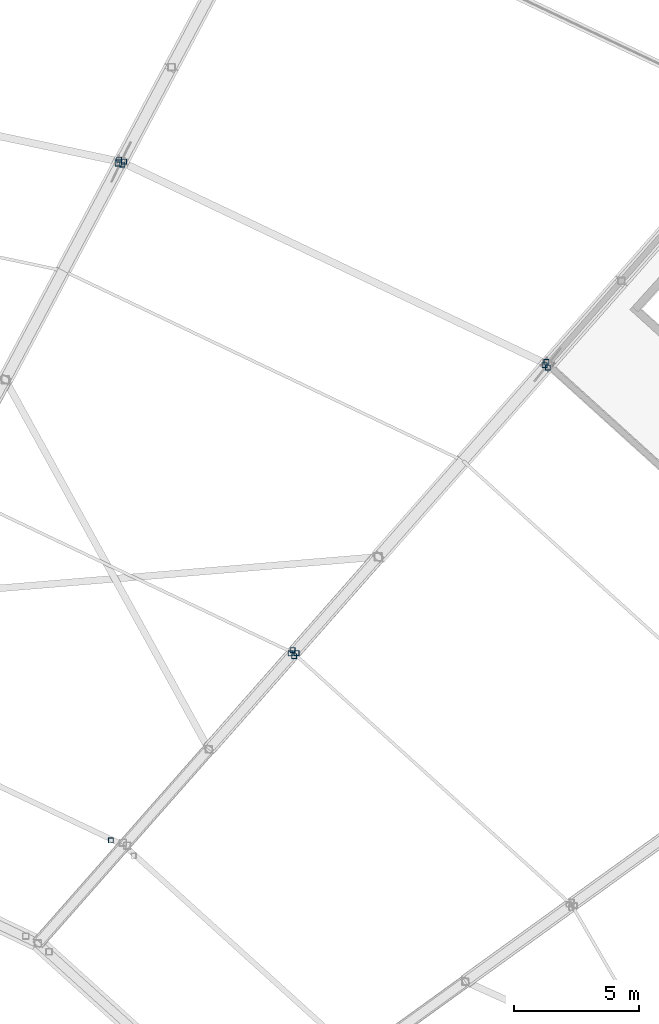
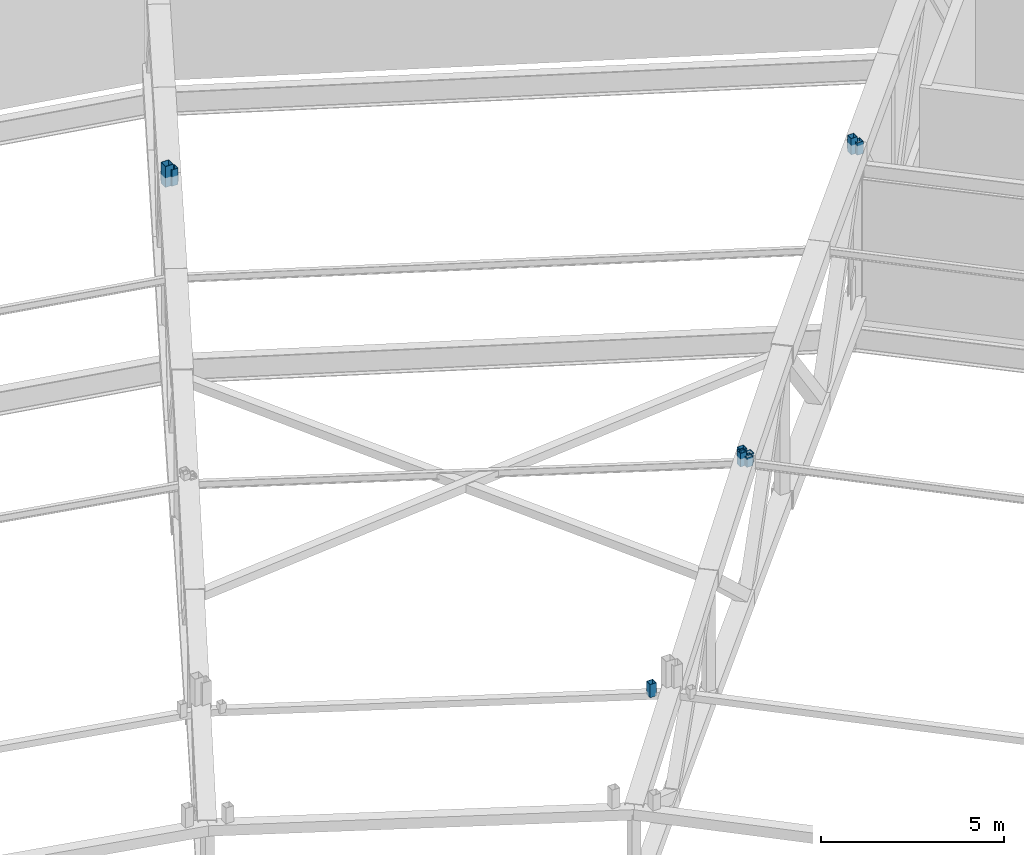
# One storey, part 135 of 162: 12 members.
"""IFC4 building model written with IfcOpenShell, lengths in metres."""

import ifcopenshell
import ifcopenshell.guid

model = None  # the IFC model being written
_history = None  # IfcOwnerHistory: only IFC2X3 demands one
_inside = {}  # id of a spatial element -> (the spatial element, [elements in it])
_under = {}  # id of a project, library or spatial element -> (it, [spatial elements below it])
_declared = {}  # id of a project -> (the project, [libraries it declares])
_typed = {}  # id of a type object -> (the type object, [elements of that type])
_made_of = {}  # id of a material, layer set ... -> (it, [elements and type objects made of it])


def new_model(schema):
    """Start an empty IFC model of exactly this schema.

    Asked for "IFC4X3", IfcOpenShell would pick the latest addendum, in which some entities
    have other attributes; the version numbers below select the first issue.
    IFC2X3 requires an IfcOwnerHistory on every rooted entity: one is made here for all.
    """
    global model, _history
    if schema == "IFC4X3":
        model = ifcopenshell.file(schema_version=(4, 3, 0, 0))
    else:
        model = ifcopenshell.file(schema=schema)
    _inside.clear()
    _under.clear()
    _declared.clear()
    _typed.clear()
    _made_of.clear()
    _history = None
    if model.schema == "IFC2X3":
        org = make("IfcOrganization", Name="unknown")
        user = make(
            "IfcPersonAndOrganization",
            ThePerson=make("IfcPerson", FamilyName="unknown"),
            TheOrganization=org,
        )
        app = make(
            "IfcApplication",
            ApplicationDeveloper=org,
            Version="unknown",
            ApplicationFullName="unknown",
            ApplicationIdentifier="unknown",
        )
        _history = make(
            "IfcOwnerHistory",
            OwningUser=user,
            OwningApplication=app,
            ChangeAction="ADDED",
            CreationDate=0,
        )
    return model


def make(cls, **values):
    """One entity of the class cls with the attributes given. An attribute that is None is left unset."""
    return model.create_entity(
        cls, **{name: value for name, value in values.items() if value is not None}
    )


def rooted(cls, **values):
    """An entity with a GlobalId (a new one), such as an element, a storey or a relation."""
    return make(cls, GlobalId=ifcopenshell.guid.new(), OwnerHistory=_history, **values)


def si_unit(unit_type, name, prefix=None):
    """IfcSIUnit, for example si_unit("LENGTHUNIT", "METRE", prefix="MILLI")."""
    return make("IfcSIUnit", UnitType=unit_type, Prefix=prefix, Name=name)


def assignment(units):
    """IfcUnitAssignment: the units of a project."""
    return None if units is None else make("IfcUnitAssignment", Units=units)


def point(xyz):
    """IfcCartesianPoint."""
    return None if xyz is None else make("IfcCartesianPoint", Coordinates=xyz)


def direction(xyz):
    """IfcDirection."""
    return None if xyz is None else make("IfcDirection", DirectionRatios=xyz)


def frame(location, z_axis=None, x_axis=None):
    """IfcAxis2Placement3D, a coordinate frame: its origin and axes. An axis left out is left unset."""
    return make(
        "IfcAxis2Placement3D",
        Location=point(location),
        Axis=direction(z_axis),
        RefDirection=direction(x_axis),
    )


def frame_2d(location, x_axis=None):
    """IfcAxis2Placement2D, a coordinate frame in the plane: its origin and x axis."""
    return make(
        "IfcAxis2Placement2D", Location=point(location), RefDirection=direction(x_axis)
    )


def origin():
    """The frame at (0, 0, 0) with its axes left unset."""
    return frame((0.0, 0.0, 0.0))


def origin_2d():
    """The frame at (0, 0) in the plane with its x axis left unset."""
    return frame_2d((0.0, 0.0))


def place(relative_to, where):
    """IfcLocalPlacement: puts the frame where relative to a parent placement (None: the world)."""
    return make(
        "IfcLocalPlacement", PlacementRelTo=relative_to, RelativePlacement=where
    )


def context(
    kind, dimensions, precision=None, world=None, true_north=None, identifier=None
):
    """IfcGeometricRepresentationContext, for example the 3D "Model" context."""
    return make(
        "IfcGeometricRepresentationContext",
        ContextIdentifier=identifier,
        ContextType=kind,
        CoordinateSpaceDimension=dimensions,
        Precision=precision,
        WorldCoordinateSystem=world,
        TrueNorth=true_north,
    )


def subcontext(parent, identifier, kind, view, scale=None):
    """IfcGeometricRepresentationSubContext, for example "Body" below "Model"."""
    return make(
        "IfcGeometricRepresentationSubContext",
        ContextIdentifier=identifier,
        ContextType=kind,
        ParentContext=parent,
        TargetScale=scale,
        TargetView=view,
    )


def project(units=None, contexts=None):
    """IfcProject with its units and contexts."""
    return rooted(
        "IfcProject",
        Name="project",
        RepresentationContexts=contexts,
        UnitsInContext=assignment(units),
    )


def spatial(cls, under=None, at=None, **own):
    """A site, building, storey or space (cls), placed at a placement, below another one or the project."""
    s = rooted(cls, ObjectPlacement=at, **own)
    if under is not None:
        _under.setdefault(under.id(), (under, []))[1].append(s)
    return s


def profile(cls, at=None, kind="AREA", **sizes):
    """A parametric profile (cls). Its sizes go by their IFC names, for example OverallWidth=200.0."""
    return make(cls, ProfileType=kind, Position=at, **sizes)


def hollow_rectangle(**sizes):
    """IfcRectangleHollowProfileDef."""
    return profile("IfcRectangleHollowProfileDef", **sizes)


def extrude(swept, where, along, depth):
    """IfcExtrudedAreaSolid: the profile swept, set in the frame where, extruded along a direction by depth."""
    return make(
        "IfcExtrudedAreaSolid",
        SweptArea=swept,
        Position=where,
        ExtrudedDirection=direction(along),
        Depth=depth,
    )


def shape(context_of_items, identifier, shape_type, items):
    """IfcShapeRepresentation: the items that make up one representation, for example the "Body"."""
    return make(
        "IfcShapeRepresentation",
        ContextOfItems=context_of_items,
        RepresentationIdentifier=identifier,
        RepresentationType=shape_type,
        Items=items,
    )


def material(Name=None, Category=None):
    """IfcMaterial."""
    return make("IfcMaterial", Name=Name, Category=Category)


def material_profile(
    of_material, cross_section, Name=None, Category=None, Priority=None
):
    """IfcMaterialProfile: a cross section and its material."""
    return make(
        "IfcMaterialProfile",
        Name=Name,
        Material=of_material,
        Profile=cross_section,
        Priority=Priority,
        Category=Category,
    )


def profile_set(profiles, Name=None, composite=None):
    """IfcMaterialProfileSet."""
    return make(
        "IfcMaterialProfileSet",
        Name=Name,
        MaterialProfiles=profiles,
        CompositeProfile=composite,
    )


def made_of(thing, what):
    """Note that an element or type object is made of a material, layer set ...; save() writes the relation."""
    if what is not None:
        _made_of.setdefault(what.id(), (what, []))[1].append(thing)
    return thing


def type_object(cls, material=None, **own):
    """A type object (cls), such as IfcWallType, which elements share."""
    return made_of(rooted(cls, **own), material)


def element(
    cls,
    number,
    at=None,
    inside=None,
    cuts=None,
    type_object=None,
    material=None,
    context=None,
    identifier="Body",
    shape_type=None,
    held_by="IfcProductDefinitionShape",
    body=None,
    shapes=None,
    **own,
):
    """One element of the class cls, such as IfcWall. Its Tag is "e" and its number.

    at: its placement. inside: the storey or other place that contains it. cuts: it is an
    opening in that element (IfcRelVoidsElement). A single representation is given by context,
    identifier, shape_type and body (its items); several are given by shapes. held_by: the class
    of the entity that holds the representations. save() writes the other relations.
    """
    e = rooted(cls, Tag="e%d" % number, ObjectPlacement=at, **own)
    if body is not None:
        shapes = [shape(context, identifier, shape_type, body)]
    if shapes is not None:
        e.Representation = make(held_by, Representations=shapes)
    if inside is not None:
        _inside.setdefault(inside.id(), (inside, []))[1].append(e)
    if cuts is not None:
        rooted(
            "IfcRelVoidsElement", RelatingBuildingElement=cuts, RelatedOpeningElement=e
        )
    if type_object is not None:
        _typed.setdefault(type_object.id(), (type_object, []))[1].append(e)
    return made_of(e, material)


def aggregate(whole, parts):
    """IfcRelAggregates: a whole, such as a stair, and the parts it consists of."""
    return rooted("IfcRelAggregates", RelatingObject=whole, RelatedObjects=parts)


def save(model, path):
    """Write the relations noted so far, then the file.

    IfcRelAggregates (storeys below a building ...), IfcRelContainedInSpatialStructure (elements
    in a storey), IfcRelDefinesByType, IfcRelAssociatesMaterial and IfcRelDeclares: one each for
    every whole, place, type object, material and project.
    """
    for whole, parts in _under.values():
        aggregate(whole, parts)
    for where, things in _inside.values():
        rooted(
            "IfcRelContainedInSpatialStructure",
            RelatedElements=things,
            RelatingStructure=where,
        )
    for kind, things in _typed.values():
        rooted("IfcRelDefinesByType", RelatedObjects=things, RelatingType=kind)
    for what, things in _made_of.values():
        rooted("IfcRelAssociatesMaterial", RelatedObjects=things, RelatingMaterial=what)
    for by, libraries in _declared.values():
        rooted("IfcRelDeclares", RelatingContext=by, RelatedDefinitions=libraries)
    model.write(path)


model = new_model("IFC4")

# Units and contexts
model_context = context("Model", 3, precision=1e-05, world=origin(), true_north=direction((0.0, 1.0)))
body_context = subcontext(model_context, "Body", "Model", "MODEL_VIEW")
ifc_project = project(units=[si_unit("LENGTHUNIT", "METRE"), si_unit("AREAUNIT", "SQUARE_METRE"), si_unit("VOLUMEUNIT", "CUBIC_METRE"), si_unit("PLANEANGLEUNIT", "RADIAN"), si_unit("MASSUNIT", "GRAM", prefix="KILO")], contexts=[model_context])

# Site, building, storey
site_placement = place(None, origin())
site = spatial("IfcSite", under=ifc_project, at=site_placement, CompositionType="ELEMENT")
building_placement = place(site_placement, origin())
building = spatial("IfcBuilding", under=site, at=building_placement, Name="Kazemori Nagisa Stadium", CompositionType="ELEMENT")
storey_placement = place(building_placement, frame((0.0, 0.0, 36.719970703125)))
storey = spatial("IfcBuildingStorey", under=building, at=storey_placement, Name="RF", CompositionType="ELEMENT", Elevation=36.719970703125)

# Members
ifc_material = material(Name="Steel STKR490", Category="steel")
ifc_material_profile_1 = material_profile(ifc_material, hollow_rectangle(XDim=0.25, YDim=0.25, WallThickness=0.011962890625, at=origin_2d()), Name="SHS-250x250x12")
ifc_profile_set_1 = profile_set([ifc_material_profile_1], Name="Steel STKR490")
member_type_1 = type_object("IfcMemberType", Name="Member_ST-SHS250", PredefinedType="STUD", material=ifc_profile_set_1)
member_1_placement = place(storey_placement, frame((159.70068359375, 171.154296875, 5.56005859375), z_axis=(0.0, 0.0, 1.0), x_axis=(1.0, 0.0, 0.0)))
element("IfcMember", 1, at=member_1_placement, inside=storey, type_object=member_type_1, Name="Canopy bearing stool B06-mid-1", PredefinedType="STUD", context=body_context, shape_type="SweptSolid", body=[
    extrude(hollow_rectangle(XDim=0.25, YDim=0.25, WallThickness=0.011962890625, at=origin_2d()), origin(), (0.0, 0.0, 1.0), 0.698974609375),
])
ifc_material_profile_2 = material_profile(ifc_material, hollow_rectangle(XDim=0.199951171875, YDim=0.199951171875, WallThickness=0.009033203125, at=origin_2d()), Name="SHS-200x200x9")
ifc_profile_set_2 = profile_set([ifc_material_profile_2], Name="Steel STKR490")
member_type_2 = type_object("IfcMemberType", Name="Member_TS-SHS200", PredefinedType="STRUT", material=ifc_profile_set_2)
member_2_placement = place(storey_placement, frame((176.845947265625, 162.9912109375, 5.56005859375), z_axis=(0.0, 0.0, 1.0), x_axis=(1.0, 0.0, 0.0)))
element("IfcMember", 2, at=member_2_placement, inside=storey, type_object=member_type_2, Name="Canopy bearing stool B04-mid-2", PredefinedType="STRUT", context=body_context, shape_type="SweptSolid", body=[
    extrude(hollow_rectangle(XDim=0.199951171875, YDim=0.199951171875, WallThickness=0.009033203125, at=origin_2d()), origin(), (0.0, 0.0, 1.0), 0.407958984375),
])
for number, where, z_axis, x_axis, name in (
    (3, (166.8134765625, 151.600830078125, 5.653076171875), (0.0, 0.0, 1.0), (1.0, 0.0, 0.0), "Canopy bearing stool B04-mid-3"),
    (4, (166.717529296875, 151.481689453125, 5.653076171875), (0.0, 0.0, 1.0), (1.0, 0.0, 0.0), "Canopy bearing stool B04-inner-2"),
    (5, (159.931396484375, 171.211669921875, 5.56005859375), (0.0, 0.0, 1.0), (1.0, 0.0, 0.0), "Canopy bearing stool B05-outer-3"),
    (6, (176.779296875, 163.21728515625, 5.56005859375), (0.0, 0.0, 1.0), (1.0, 0.0, 0.0), "Canopy bearing stool B05-outer-4"),
):
    element("IfcMember", number, at=place(storey_placement, frame(where, z_axis=z_axis, x_axis=x_axis)), inside=storey, type_object=member_type_2, Name=name, PredefinedType="STRUT", context=body_context, shape_type="SweptSolid", body=[
        extrude(hollow_rectangle(XDim=0.199951171875, YDim=0.199951171875, WallThickness=0.009033203125, at=origin_2d()), origin(), (0.0, 0.0, 1.0), 0.31494140625),
    ])
for number, where, z_axis, x_axis, name in (
    (7, (176.7158203125, 163.09130859375, 5.56005859375), (0.0, 0.0, 1.0), (1.0, 0.0, 0.0), "Canopy bearing stool B05-mid-1"),
    (8, (159.858154296875, 171.08837890625, 5.56005859375), (0.0, 0.0, 1.0), (1.0, 0.0, 0.0), "Canopy bearing stool B05-mid-2"),
):
    element("IfcMember", number, at=place(storey_placement, frame(where, z_axis=z_axis, x_axis=x_axis)), inside=storey, type_object=member_type_2, Name=name, PredefinedType="STRUT", context=body_context, shape_type="SweptSolid", body=[
        extrude(hollow_rectangle(XDim=0.199951171875, YDim=0.199951171875, WallThickness=0.009033203125, at=origin_2d()), origin(), (0.0, 0.0, 1.0), 0.544921875),
    ])
for number, where, z_axis, x_axis, name in (
    (9, (166.6611328125, 151.714599609375, 5.653076171875), (0.0, 0.0, 1.0), (1.0, 0.0, 0.0), "Canopy bearing stool B05-mid-4"),
    (10, (166.57373046875, 151.58935546875, 5.653076171875), (0.0, 0.0, 1.0), (1.0, 0.0, 0.0), "Canopy bearing stool B05-inner-1"),
):
    element("IfcMember", number, at=place(storey_placement, frame(where, z_axis=z_axis, x_axis=x_axis)), inside=storey, type_object=member_type_2, Name=name, PredefinedType="STRUT", context=body_context, shape_type="SweptSolid", body=[
        extrude(hollow_rectangle(XDim=0.199951171875, YDim=0.199951171875, WallThickness=0.009033203125, at=origin_2d()), origin(), (0.0, 0.0, 1.0), 0.451904296875),
    ])
member_3_placement = place(storey_placement, frame((159.40673828125, 144.126708984375, 4.97509765625), z_axis=(0.0, 0.0, 1.0), x_axis=(1.0, 0.0, 0.0)))
element("IfcMember", 11, at=member_3_placement, inside=storey, type_object=member_type_2, Name="Oculus skylight bearing stool B05-4", PredefinedType="STRUT", context=body_context, shape_type="SweptSolid", body=[
    extrude(hollow_rectangle(XDim=0.199951171875, YDim=0.199951171875, WallThickness=0.009033203125, at=origin_2d()), origin(), (0.0, 0.0, 1.0), 0.43798828125),
])
member_4_placement = place(storey_placement, frame((159.73193359375, 171.28857421875, 5.56005859375), z_axis=(0.0, 0.0, 1.0), x_axis=(1.0, 0.0, 0.0)))
element("IfcMember", 12, at=member_4_placement, inside=storey, type_object=member_type_2, Name="Canopy bearing stool B06-outer-4", PredefinedType="STRUT", context=body_context, shape_type="SweptSolid", body=[
    extrude(hollow_rectangle(XDim=0.199951171875, YDim=0.199951171875, WallThickness=0.009033203125, at=origin_2d()), origin(), (0.0, 0.0, 1.0), 0.31494140625),
])

save(model, "model.ifc")
